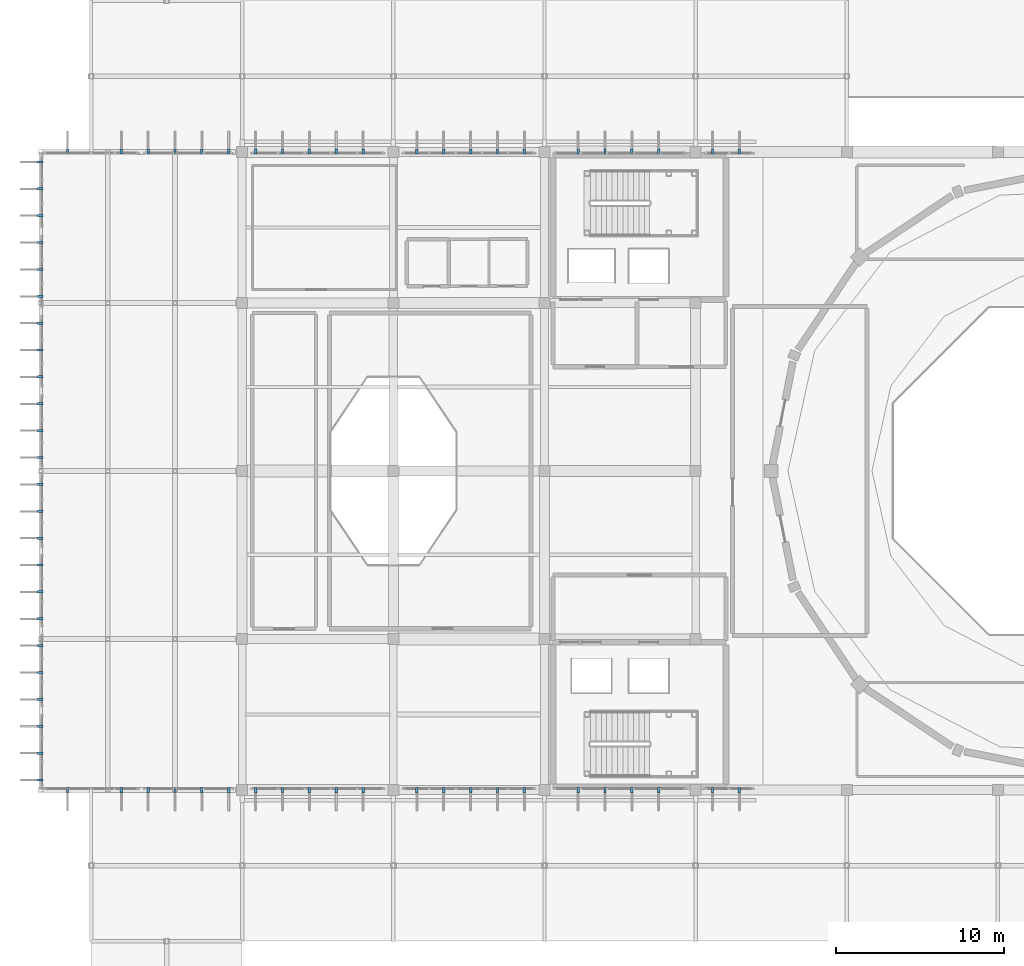
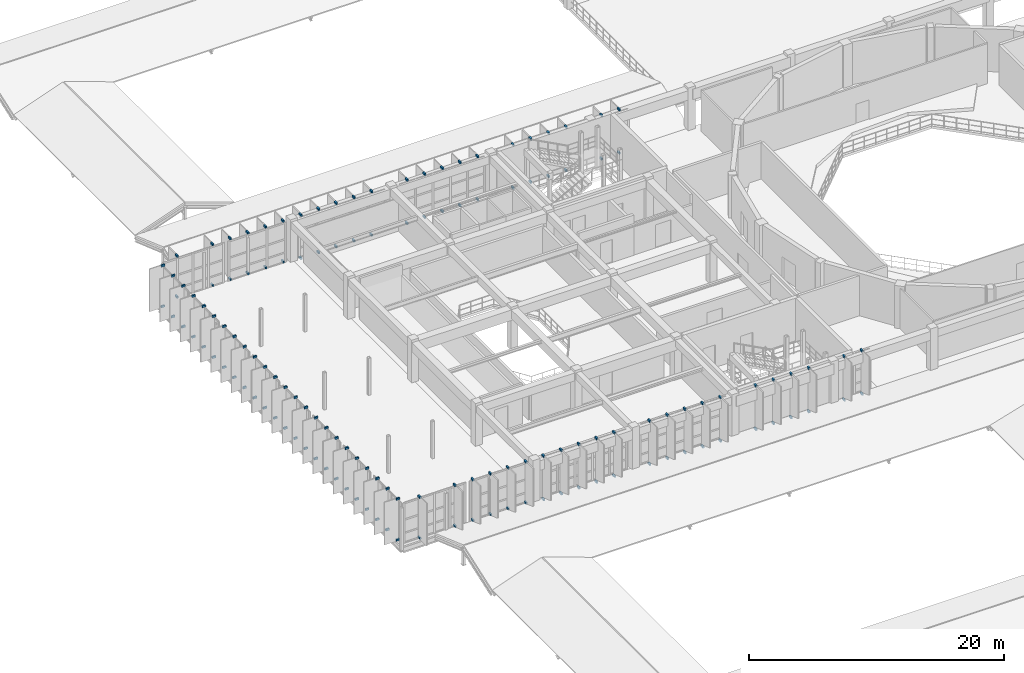
# One storey, part 74 of 80: 136 discrete accessories.
"""IFC4 building model written with IfcOpenShell, lengths in metres."""

from ifc_helpers import new_model, si_unit, direction, frame, origin, origin_2d, place, context, subcontext, project, spatial, rectangle, extrude, material, type_object, element, save


model = new_model("IFC4")

# Units and contexts
model_context = context("Model", 3, precision=1e-05, world=origin(), true_north=direction((0.0, 1.0)))
body_context = subcontext(model_context, "Body", "Model", "MODEL_VIEW")
ifc_project = project(units=[si_unit("LENGTHUNIT", "METRE"), si_unit("AREAUNIT", "SQUARE_METRE"), si_unit("VOLUMEUNIT", "CUBIC_METRE"), si_unit("PLANEANGLEUNIT", "RADIAN"), si_unit("MASSUNIT", "GRAM", prefix="KILO")], contexts=[model_context])

# Site, building, storey
site_placement = place(None, origin())
site = spatial("IfcSite", under=ifc_project, at=site_placement, CompositionType="ELEMENT")
building_placement = place(site_placement, origin())
building = spatial("IfcBuilding", under=site, at=building_placement, Name="Miravela Opera House", CompositionType="ELEMENT")
storey_placement = place(building_placement, frame((0.0, 0.0, 17.679931640625)))
storey = spatial("IfcBuildingStorey", under=building, at=storey_placement, Name="L04", CompositionType="ELEMENT", Elevation=17.679931640625)

# Discrete accessories
ifc_material = material(Name="Anodised architectural bronze aluminium 6063-T6", Category="aluminium")
discrete_accessory_type = type_object("IfcDiscreteAccessoryType", Name="ARC-BRK-FIN-320", PredefinedType="BRACKET", material=ifc_material)
for number, where, z_axis, x_axis, name in (
    (1, (14.97998046875, 37.60009765625, 0.0), (0.0, 0.0, 1.0), (1.0, 0.0, 0.0), "Bronze Fin Outrigger Bracket BOT 0145"),
    (2, (14.97998046875, 37.60009765625, 3.89990234375), (0.0, 0.0, 1.0), (1.0, 0.0, 0.0), "Bronze Fin Outrigger Bracket TOP 0146"),
    (3, (14.97998046875, 39.199951171875, 0.0), (0.0, 0.0, 1.0), (1.0, 0.0, 0.0), "Bronze Fin Outrigger Bracket BOT 0147"),
    (4, (14.97998046875, 39.199951171875, 3.89990234375), (0.0, 0.0, 1.0), (1.0, 0.0, 0.0), "Bronze Fin Outrigger Bracket TOP 0148"),
    (5, (14.97998046875, 40.800048828125, 0.0), (0.0, 0.0, 1.0), (1.0, 0.0, 0.0), "Bronze Fin Outrigger Bracket BOT 0149"),
    (6, (14.97998046875, 40.800048828125, 3.89990234375), (0.0, 0.0, 1.0), (1.0, 0.0, 0.0), "Bronze Fin Outrigger Bracket TOP 0150"),
    (7, (14.97998046875, 42.39990234375, 0.0), (0.0, 0.0, 1.0), (1.0, 0.0, 0.0), "Bronze Fin Outrigger Bracket BOT 0151"),
    (8, (14.97998046875, 42.39990234375, 3.89990234375), (0.0, 0.0, 1.0), (1.0, 0.0, 0.0), "Bronze Fin Outrigger Bracket TOP 0152"),
    (9, (14.97998046875, 44.0, 0.0), (0.0, 0.0, 1.0), (1.0, 0.0, 0.0), "Bronze Fin Outrigger Bracket BOT 0153"),
    (10, (14.97998046875, 44.0, 3.89990234375), (0.0, 0.0, 1.0), (1.0, 0.0, 0.0), "Bronze Fin Outrigger Bracket TOP 0154"),
    (11, (14.97998046875, 45.60009765625, 0.0), (0.0, 0.0, 1.0), (1.0, 0.0, 0.0), "Bronze Fin Outrigger Bracket BOT 0155"),
    (12, (14.97998046875, 45.60009765625, 3.89990234375), (0.0, 0.0, 1.0), (1.0, 0.0, 0.0), "Bronze Fin Outrigger Bracket TOP 0156"),
    (13, (14.97998046875, 47.199951171875, 0.0), (0.0, 0.0, 1.0), (1.0, 0.0, 0.0), "Bronze Fin Outrigger Bracket BOT 0157"),
    (14, (14.97998046875, 47.199951171875, 3.89990234375), (0.0, 0.0, 1.0), (1.0, 0.0, 0.0), "Bronze Fin Outrigger Bracket TOP 0158"),
    (15, (14.97998046875, 48.800048828125, 0.0), (0.0, 0.0, 1.0), (1.0, 0.0, 0.0), "Bronze Fin Outrigger Bracket BOT 0159"),
    (16, (14.97998046875, 48.800048828125, 3.89990234375), (0.0, 0.0, 1.0), (1.0, 0.0, 0.0), "Bronze Fin Outrigger Bracket TOP 0160"),
    (17, (14.97998046875, 50.39990234375, 0.0), (0.0, 0.0, 1.0), (1.0, 0.0, 0.0), "Bronze Fin Outrigger Bracket BOT 0161"),
    (18, (14.97998046875, 50.39990234375, 3.89990234375), (0.0, 0.0, 1.0), (1.0, 0.0, 0.0), "Bronze Fin Outrigger Bracket TOP 0162"),
    (19, (14.97998046875, 52.0, 0.0), (0.0, 0.0, 1.0), (1.0, 0.0, 0.0), "Bronze Fin Outrigger Bracket BOT 0163"),
    (20, (14.97998046875, 52.0, 3.89990234375), (0.0, 0.0, 1.0), (1.0, 0.0, 0.0), "Bronze Fin Outrigger Bracket TOP 0164"),
    (21, (14.97998046875, 53.60009765625, 0.0), (0.0, 0.0, 1.0), (1.0, 0.0, 0.0), "Bronze Fin Outrigger Bracket BOT 0165"),
    (22, (14.97998046875, 53.60009765625, 3.89990234375), (0.0, 0.0, 1.0), (1.0, 0.0, 0.0), "Bronze Fin Outrigger Bracket TOP 0166"),
    (23, (14.97998046875, 55.199951171875, 0.0), (0.0, 0.0, 1.0), (1.0, 0.0, 0.0), "Bronze Fin Outrigger Bracket BOT 0167"),
    (24, (14.97998046875, 55.199951171875, 3.89990234375), (0.0, 0.0, 1.0), (1.0, 0.0, 0.0), "Bronze Fin Outrigger Bracket TOP 0168"),
    (25, (14.97998046875, 56.800048828125, 0.0), (0.0, 0.0, 1.0), (1.0, 0.0, 0.0), "Bronze Fin Outrigger Bracket BOT 0169"),
    (26, (14.97998046875, 56.800048828125, 3.89990234375), (0.0, 0.0, 1.0), (1.0, 0.0, 0.0), "Bronze Fin Outrigger Bracket TOP 0170"),
    (27, (14.97998046875, 58.39990234375, 0.0), (0.0, 0.0, 1.0), (1.0, 0.0, 0.0), "Bronze Fin Outrigger Bracket BOT 0171"),
    (28, (14.97998046875, 58.39990234375, 3.89990234375), (0.0, 0.0, 1.0), (1.0, 0.0, 0.0), "Bronze Fin Outrigger Bracket TOP 0172"),
    (29, (14.97998046875, 60.0, 0.0), (0.0, 0.0, 1.0), (1.0, 0.0, 0.0), "Bronze Fin Outrigger Bracket BOT 0173"),
    (30, (14.97998046875, 60.0, 3.89990234375), (0.0, 0.0, 1.0), (1.0, 0.0, 0.0), "Bronze Fin Outrigger Bracket TOP 0174"),
    (31, (14.97998046875, 61.60009765625, 0.0), (0.0, 0.0, 1.0), (1.0, 0.0, 0.0), "Bronze Fin Outrigger Bracket BOT 0175"),
    (32, (14.97998046875, 61.60009765625, 3.89990234375), (0.0, 0.0, 1.0), (1.0, 0.0, 0.0), "Bronze Fin Outrigger Bracket TOP 0176"),
    (33, (14.97998046875, 63.199951171875, 0.0), (0.0, 0.0, 1.0), (1.0, 0.0, 0.0), "Bronze Fin Outrigger Bracket BOT 0177"),
    (34, (14.97998046875, 63.199951171875, 3.89990234375), (0.0, 0.0, 1.0), (1.0, 0.0, 0.0), "Bronze Fin Outrigger Bracket TOP 0178"),
    (35, (14.97998046875, 64.800048828125, 0.0), (0.0, 0.0, 1.0), (1.0, 0.0, 0.0), "Bronze Fin Outrigger Bracket BOT 0179"),
    (36, (14.97998046875, 64.800048828125, 3.89990234375), (0.0, 0.0, 1.0), (1.0, 0.0, 0.0), "Bronze Fin Outrigger Bracket TOP 0180"),
    (37, (14.97998046875, 66.39990234375, 0.0), (0.0, 0.0, 1.0), (1.0, 0.0, 0.0), "Bronze Fin Outrigger Bracket BOT 0181"),
    (38, (14.97998046875, 66.39990234375, 3.89990234375), (0.0, 0.0, 1.0), (1.0, 0.0, 0.0), "Bronze Fin Outrigger Bracket TOP 0182"),
    (39, (14.97998046875, 68.0, 0.0), (0.0, 0.0, 1.0), (1.0, 0.0, 0.0), "Bronze Fin Outrigger Bracket BOT 0183"),
    (40, (14.97998046875, 68.0, 3.89990234375), (0.0, 0.0, 1.0), (1.0, 0.0, 0.0), "Bronze Fin Outrigger Bracket TOP 0184"),
    (41, (14.97998046875, 69.60009765625, 0.0), (0.0, 0.0, 1.0), (1.0, 0.0, 0.0), "Bronze Fin Outrigger Bracket BOT 0185"),
    (42, (14.97998046875, 69.60009765625, 3.89990234375), (0.0, 0.0, 1.0), (1.0, 0.0, 0.0), "Bronze Fin Outrigger Bracket TOP 0186"),
    (43, (14.97998046875, 71.199951171875, 0.0), (0.0, 0.0, 1.0), (1.0, 0.0, 0.0), "Bronze Fin Outrigger Bracket BOT 0187"),
    (44, (14.97998046875, 71.199951171875, 3.89990234375), (0.0, 0.0, 1.0), (1.0, 0.0, 0.0), "Bronze Fin Outrigger Bracket TOP 0188"),
    (45, (14.97998046875, 72.800048828125, 0.0), (0.0, 0.0, 1.0), (1.0, 0.0, 0.0), "Bronze Fin Outrigger Bracket BOT 0189"),
    (46, (14.97998046875, 72.800048828125, 3.89990234375), (0.0, 0.0, 1.0), (1.0, 0.0, 0.0), "Bronze Fin Outrigger Bracket TOP 0190"),
    (47, (14.97998046875, 74.39990234375, 0.0), (0.0, 0.0, 1.0), (1.0, 0.0, 0.0), "Bronze Fin Outrigger Bracket BOT 0191"),
    (48, (14.97998046875, 74.39990234375, 3.89990234375), (0.0, 0.0, 1.0), (1.0, 0.0, 0.0), "Bronze Fin Outrigger Bracket TOP 0192"),
    (49, (16.60009765625, 75.02001953125, 0.0), (0.0, 0.0, 1.0), (0.0, 1.0, 0.0), "Bronze Fin Outrigger Bracket BOT 0193"),
    (50, (16.60009765625, 75.02001953125, 3.89990234375), (0.0, 0.0, 1.0), (0.0, 1.0, 0.0), "Bronze Fin Outrigger Bracket TOP 0194"),
    (51, (16.60009765625, 36.97998046875, 0.0), (0.0, 0.0, 1.0), (0.0, 1.0, 0.0), "Bronze Fin Outrigger Bracket BOT 0195"),
    (52, (16.60009765625, 36.97998046875, 3.89990234375), (0.0, 0.0, 1.0), (0.0, 1.0, 0.0), "Bronze Fin Outrigger Bracket TOP 0196"),
    (53, (19.800048828125, 75.02001953125, 0.0), (0.0, 0.0, 1.0), (0.0, 1.0, 0.0), "Bronze Fin Outrigger Bracket BOT 0197"),
    (54, (19.800048828125, 75.02001953125, 3.89990234375), (0.0, 0.0, 1.0), (0.0, 1.0, 0.0), "Bronze Fin Outrigger Bracket TOP 0198"),
    (55, (19.800048828125, 36.97998046875, 0.0), (0.0, 0.0, 1.0), (0.0, 1.0, 0.0), "Bronze Fin Outrigger Bracket BOT 0199"),
    (56, (19.800048828125, 36.97998046875, 3.89990234375), (0.0, 0.0, 1.0), (0.0, 1.0, 0.0), "Bronze Fin Outrigger Bracket TOP 0200"),
    (57, (21.39990234375, 75.02001953125, 0.0), (0.0, 0.0, 1.0), (0.0, 1.0, 0.0), "Bronze Fin Outrigger Bracket BOT 0201"),
    (58, (21.39990234375, 75.02001953125, 3.89990234375), (0.0, 0.0, 1.0), (0.0, 1.0, 0.0), "Bronze Fin Outrigger Bracket TOP 0202"),
    (59, (21.39990234375, 36.97998046875, 0.0), (0.0, 0.0, 1.0), (0.0, 1.0, 0.0), "Bronze Fin Outrigger Bracket BOT 0203"),
    (60, (21.39990234375, 36.97998046875, 3.89990234375), (0.0, 0.0, 1.0), (0.0, 1.0, 0.0), "Bronze Fin Outrigger Bracket TOP 0204"),
    (61, (23.0, 75.02001953125, 0.0), (0.0, 0.0, 1.0), (0.0, 1.0, 0.0), "Bronze Fin Outrigger Bracket BOT 0205"),
    (62, (23.0, 75.02001953125, 3.89990234375), (0.0, 0.0, 1.0), (0.0, 1.0, 0.0), "Bronze Fin Outrigger Bracket TOP 0206"),
    (63, (23.0, 36.97998046875, 0.0), (0.0, 0.0, 1.0), (0.0, 1.0, 0.0), "Bronze Fin Outrigger Bracket BOT 0207"),
    (64, (23.0, 36.97998046875, 3.89990234375), (0.0, 0.0, 1.0), (0.0, 1.0, 0.0), "Bronze Fin Outrigger Bracket TOP 0208"),
    (65, (24.60009765625, 75.02001953125, 0.0), (0.0, 0.0, 1.0), (0.0, 1.0, 0.0), "Bronze Fin Outrigger Bracket BOT 0209"),
    (66, (24.60009765625, 75.02001953125, 3.89990234375), (0.0, 0.0, 1.0), (0.0, 1.0, 0.0), "Bronze Fin Outrigger Bracket TOP 0210"),
    (67, (24.60009765625, 36.97998046875, 0.0), (0.0, 0.0, 1.0), (0.0, 1.0, 0.0), "Bronze Fin Outrigger Bracket BOT 0211"),
    (68, (24.60009765625, 36.97998046875, 3.89990234375), (0.0, 0.0, 1.0), (0.0, 1.0, 0.0), "Bronze Fin Outrigger Bracket TOP 0212"),
    (69, (26.199951171875, 75.02001953125, 0.0), (0.0, 0.0, 1.0), (0.0, 1.0, 0.0), "Bronze Fin Outrigger Bracket BOT 0213"),
    (70, (26.199951171875, 75.02001953125, 3.89990234375), (0.0, 0.0, 1.0), (0.0, 1.0, 0.0), "Bronze Fin Outrigger Bracket TOP 0214"),
    (71, (26.199951171875, 36.97998046875, 0.0), (0.0, 0.0, 1.0), (0.0, 1.0, 0.0), "Bronze Fin Outrigger Bracket BOT 0215"),
    (72, (26.199951171875, 36.97998046875, 3.89990234375), (0.0, 0.0, 1.0), (0.0, 1.0, 0.0), "Bronze Fin Outrigger Bracket TOP 0216"),
    (73, (27.800048828125, 75.02001953125, -0.23974609375), (0.0, 0.0, 1.0), (0.0, 1.0, 0.0), "Bronze Fin Outrigger Bracket BOT 0217"),
    (74, (27.800048828125, 75.02001953125, 3.89990234375), (0.0, 0.0, 1.0), (0.0, 1.0, 0.0), "Bronze Fin Outrigger Bracket TOP 0218"),
    (75, (27.800048828125, 36.97998046875, -0.23974609375), (0.0, 0.0, 1.0), (0.0, 1.0, 0.0), "Bronze Fin Outrigger Bracket BOT 0219"),
    (76, (27.800048828125, 36.97998046875, 3.89990234375), (0.0, 0.0, 1.0), (0.0, 1.0, 0.0), "Bronze Fin Outrigger Bracket TOP 0220"),
    (77, (29.39990234375, 75.02001953125, -0.23974609375), (0.0, 0.0, 1.0), (0.0, 1.0, 0.0), "Bronze Fin Outrigger Bracket BOT 0221"),
    (78, (29.39990234375, 75.02001953125, 3.89990234375), (0.0, 0.0, 1.0), (0.0, 1.0, 0.0), "Bronze Fin Outrigger Bracket TOP 0222"),
    (79, (29.39990234375, 36.97998046875, -0.23974609375), (0.0, 0.0, 1.0), (0.0, 1.0, 0.0), "Bronze Fin Outrigger Bracket BOT 0223"),
    (80, (29.39990234375, 36.97998046875, 3.89990234375), (0.0, 0.0, 1.0), (0.0, 1.0, 0.0), "Bronze Fin Outrigger Bracket TOP 0224"),
    (81, (31.0, 75.02001953125, -0.23974609375), (0.0, 0.0, 1.0), (0.0, 1.0, 0.0), "Bronze Fin Outrigger Bracket BOT 0225"),
    (82, (31.0, 75.02001953125, 3.89990234375), (0.0, 0.0, 1.0), (0.0, 1.0, 0.0), "Bronze Fin Outrigger Bracket TOP 0226"),
    (83, (31.0, 36.97998046875, -0.23974609375), (0.0, 0.0, 1.0), (0.0, 1.0, 0.0), "Bronze Fin Outrigger Bracket BOT 0227"),
    (84, (31.0, 36.97998046875, 3.89990234375), (0.0, 0.0, 1.0), (0.0, 1.0, 0.0), "Bronze Fin Outrigger Bracket TOP 0228"),
    (85, (32.60009765625, 75.02001953125, -0.23974609375), (0.0, 0.0, 1.0), (0.0, 1.0, 0.0), "Bronze Fin Outrigger Bracket BOT 0229"),
    (86, (32.60009765625, 75.02001953125, 3.89990234375), (0.0, 0.0, 1.0), (0.0, 1.0, 0.0), "Bronze Fin Outrigger Bracket TOP 0230"),
    (87, (32.60009765625, 36.97998046875, -0.23974609375), (0.0, 0.0, 1.0), (0.0, 1.0, 0.0), "Bronze Fin Outrigger Bracket BOT 0231"),
    (88, (32.60009765625, 36.97998046875, 3.89990234375), (0.0, 0.0, 1.0), (0.0, 1.0, 0.0), "Bronze Fin Outrigger Bracket TOP 0232"),
    (89, (34.199951171875, 75.02001953125, -0.23974609375), (0.0, 0.0, 1.0), (0.0, 1.0, 0.0), "Bronze Fin Outrigger Bracket BOT 0233"),
    (90, (34.199951171875, 75.02001953125, 3.89990234375), (0.0, 0.0, 1.0), (0.0, 1.0, 0.0), "Bronze Fin Outrigger Bracket TOP 0234"),
    (91, (34.199951171875, 36.97998046875, -0.23974609375), (0.0, 0.0, 1.0), (0.0, 1.0, 0.0), "Bronze Fin Outrigger Bracket BOT 0235"),
    (92, (34.199951171875, 36.97998046875, 3.89990234375), (0.0, 0.0, 1.0), (0.0, 1.0, 0.0), "Bronze Fin Outrigger Bracket TOP 0236"),
    (93, (37.39990234375, 75.02001953125, -0.23974609375), (0.0, 0.0, 1.0), (0.0, 1.0, 0.0), "Bronze Fin Outrigger Bracket BOT 0237"),
    (94, (37.39990234375, 75.02001953125, 3.89990234375), (0.0, 0.0, 1.0), (0.0, 1.0, 0.0), "Bronze Fin Outrigger Bracket TOP 0238"),
    (95, (37.39990234375, 36.97998046875, -0.23974609375), (0.0, 0.0, 1.0), (0.0, 1.0, 0.0), "Bronze Fin Outrigger Bracket BOT 0239"),
    (96, (37.39990234375, 36.97998046875, 3.89990234375), (0.0, 0.0, 1.0), (0.0, 1.0, 0.0), "Bronze Fin Outrigger Bracket TOP 0240"),
    (97, (39.0, 75.02001953125, -0.23974609375), (0.0, 0.0, 1.0), (0.0, 1.0, 0.0), "Bronze Fin Outrigger Bracket BOT 0241"),
    (98, (39.0, 75.02001953125, 3.89990234375), (0.0, 0.0, 1.0), (0.0, 1.0, 0.0), "Bronze Fin Outrigger Bracket TOP 0242"),
    (99, (39.0, 36.97998046875, -0.23974609375), (0.0, 0.0, 1.0), (0.0, 1.0, 0.0), "Bronze Fin Outrigger Bracket BOT 0243"),
    (100, (39.0, 36.97998046875, 3.89990234375), (0.0, 0.0, 1.0), (0.0, 1.0, 0.0), "Bronze Fin Outrigger Bracket TOP 0244"),
    (101, (40.60009765625, 75.02001953125, -0.23974609375), (0.0, 0.0, 1.0), (0.0, 1.0, 0.0), "Bronze Fin Outrigger Bracket BOT 0245"),
    (102, (40.60009765625, 75.02001953125, 3.89990234375), (0.0, 0.0, 1.0), (0.0, 1.0, 0.0), "Bronze Fin Outrigger Bracket TOP 0246"),
    (103, (40.60009765625, 36.97998046875, -0.23974609375), (0.0, 0.0, 1.0), (0.0, 1.0, 0.0), "Bronze Fin Outrigger Bracket BOT 0247"),
    (104, (40.60009765625, 36.97998046875, 3.89990234375), (0.0, 0.0, 1.0), (0.0, 1.0, 0.0), "Bronze Fin Outrigger Bracket TOP 0248"),
    (105, (42.199951171875, 75.02001953125, -0.23974609375), (0.0, 0.0, 1.0), (0.0, 1.0, 0.0), "Bronze Fin Outrigger Bracket BOT 0249"),
    (106, (42.199951171875, 75.02001953125, 3.89990234375), (0.0, 0.0, 1.0), (0.0, 1.0, 0.0), "Bronze Fin Outrigger Bracket TOP 0250"),
    (107, (42.199951171875, 36.97998046875, -0.23974609375), (0.0, 0.0, 1.0), (0.0, 1.0, 0.0), "Bronze Fin Outrigger Bracket BOT 0251"),
    (108, (42.199951171875, 36.97998046875, 3.89990234375), (0.0, 0.0, 1.0), (0.0, 1.0, 0.0), "Bronze Fin Outrigger Bracket TOP 0252"),
    (109, (43.800048828125, 75.02001953125, -0.23974609375), (0.0, 0.0, 1.0), (0.0, 1.0, 0.0), "Bronze Fin Outrigger Bracket BOT 0253"),
    (110, (43.800048828125, 75.02001953125, 3.89990234375), (0.0, 0.0, 1.0), (0.0, 1.0, 0.0), "Bronze Fin Outrigger Bracket TOP 0254"),
    (111, (43.800048828125, 36.97998046875, -0.23974609375), (0.0, 0.0, 1.0), (0.0, 1.0, 0.0), "Bronze Fin Outrigger Bracket BOT 0255"),
    (112, (43.800048828125, 36.97998046875, 3.89990234375), (0.0, 0.0, 1.0), (0.0, 1.0, 0.0), "Bronze Fin Outrigger Bracket TOP 0256"),
    (113, (47.0, 75.02001953125, -0.23974609375), (0.0, 0.0, 1.0), (0.0, 1.0, 0.0), "Bronze Fin Outrigger Bracket BOT 0257"),
    (114, (47.0, 75.02001953125, 3.89990234375), (0.0, 0.0, 1.0), (0.0, 1.0, 0.0), "Bronze Fin Outrigger Bracket TOP 0258"),
    (115, (47.0, 36.97998046875, -0.23974609375), (0.0, 0.0, 1.0), (0.0, 1.0, 0.0), "Bronze Fin Outrigger Bracket BOT 0259"),
    (116, (47.0, 36.97998046875, 3.89990234375), (0.0, 0.0, 1.0), (0.0, 1.0, 0.0), "Bronze Fin Outrigger Bracket TOP 0260"),
    (117, (48.60009765625, 75.02001953125, -0.23974609375), (0.0, 0.0, 1.0), (0.0, 1.0, 0.0), "Bronze Fin Outrigger Bracket BOT 0261"),
    (118, (48.60009765625, 75.02001953125, 3.89990234375), (0.0, 0.0, 1.0), (0.0, 1.0, 0.0), "Bronze Fin Outrigger Bracket TOP 0262"),
    (119, (48.60009765625, 36.97998046875, -0.23974609375), (0.0, 0.0, 1.0), (0.0, 1.0, 0.0), "Bronze Fin Outrigger Bracket BOT 0263"),
    (120, (48.60009765625, 36.97998046875, 3.89990234375), (0.0, 0.0, 1.0), (0.0, 1.0, 0.0), "Bronze Fin Outrigger Bracket TOP 0264"),
    (121, (50.199951171875, 75.02001953125, -0.23974609375), (0.0, 0.0, 1.0), (0.0, 1.0, 0.0), "Bronze Fin Outrigger Bracket BOT 0265"),
    (122, (50.199951171875, 75.02001953125, 3.89990234375), (0.0, 0.0, 1.0), (0.0, 1.0, 0.0), "Bronze Fin Outrigger Bracket TOP 0266"),
    (123, (50.199951171875, 36.97998046875, -0.23974609375), (0.0, 0.0, 1.0), (0.0, 1.0, 0.0), "Bronze Fin Outrigger Bracket BOT 0267"),
    (124, (50.199951171875, 36.97998046875, 3.89990234375), (0.0, 0.0, 1.0), (0.0, 1.0, 0.0), "Bronze Fin Outrigger Bracket TOP 0268"),
    (125, (51.800048828125, 75.02001953125, -0.23974609375), (0.0, 0.0, 1.0), (0.0, 1.0, 0.0), "Bronze Fin Outrigger Bracket BOT 0269"),
    (126, (51.800048828125, 75.02001953125, 3.89990234375), (0.0, 0.0, 1.0), (0.0, 1.0, 0.0), "Bronze Fin Outrigger Bracket TOP 0270"),
    (127, (51.800048828125, 36.97998046875, -0.23974609375), (0.0, 0.0, 1.0), (0.0, 1.0, 0.0), "Bronze Fin Outrigger Bracket BOT 0271"),
    (128, (51.800048828125, 36.97998046875, 3.89990234375), (0.0, 0.0, 1.0), (0.0, 1.0, 0.0), "Bronze Fin Outrigger Bracket TOP 0272"),
    (129, (55.0, 75.02001953125, -0.23974609375), (0.0, 0.0, 1.0), (0.0, 1.0, 0.0), "Bronze Fin Outrigger Bracket BOT 0273"),
    (130, (55.0, 75.02001953125, 3.89990234375), (0.0, 0.0, 1.0), (0.0, 1.0, 0.0), "Bronze Fin Outrigger Bracket TOP 0274"),
    (131, (55.0, 36.97998046875, -0.23974609375), (0.0, 0.0, 1.0), (0.0, 1.0, 0.0), "Bronze Fin Outrigger Bracket BOT 0275"),
    (132, (55.0, 36.97998046875, 3.89990234375), (0.0, 0.0, 1.0), (0.0, 1.0, 0.0), "Bronze Fin Outrigger Bracket TOP 0276"),
    (133, (56.60009765625, 75.02001953125, -0.23974609375), (0.0, 0.0, 1.0), (0.0, 1.0, 0.0), "Bronze Fin Outrigger Bracket BOT 0277"),
    (134, (56.60009765625, 75.02001953125, 3.89990234375), (0.0, 0.0, 1.0), (0.0, 1.0, 0.0), "Bronze Fin Outrigger Bracket TOP 0278"),
    (135, (56.60009765625, 36.97998046875, -0.23974609375), (0.0, 0.0, 1.0), (0.0, 1.0, 0.0), "Bronze Fin Outrigger Bracket BOT 0279"),
    (136, (56.60009765625, 36.97998046875, 3.89990234375), (0.0, 0.0, 1.0), (0.0, 1.0, 0.0), "Bronze Fin Outrigger Bracket TOP 0280"),
):
    element("IfcDiscreteAccessory", number, at=place(storey_placement, frame(where, z_axis=z_axis, x_axis=x_axis)), inside=storey, type_object=discrete_accessory_type, Name=name, PredefinedType="BRACKET", context=body_context, shape_type="SweptSolid", body=[
        extrude(rectangle(XDim=0.320068359375, YDim=0.139892578125, at=origin_2d()), origin(), (0.0, 0.0, 1.0), 0.179931640625),
    ])

save(model, "model.ifc")
